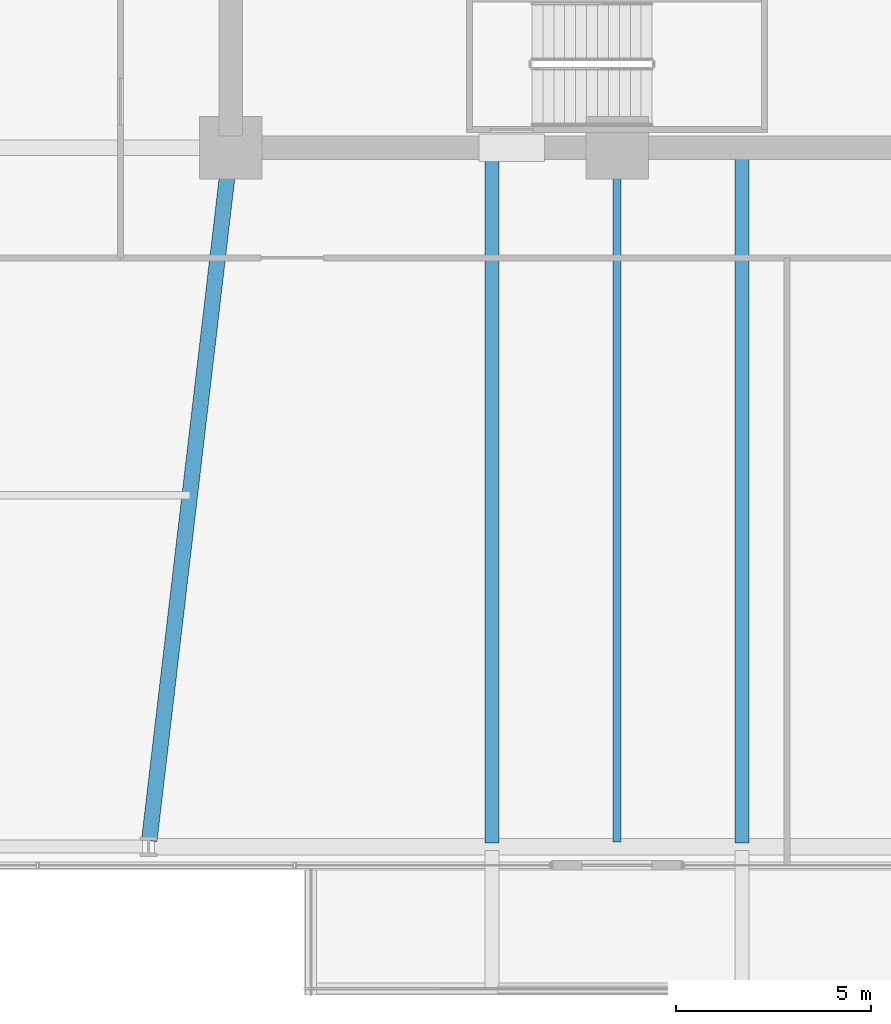
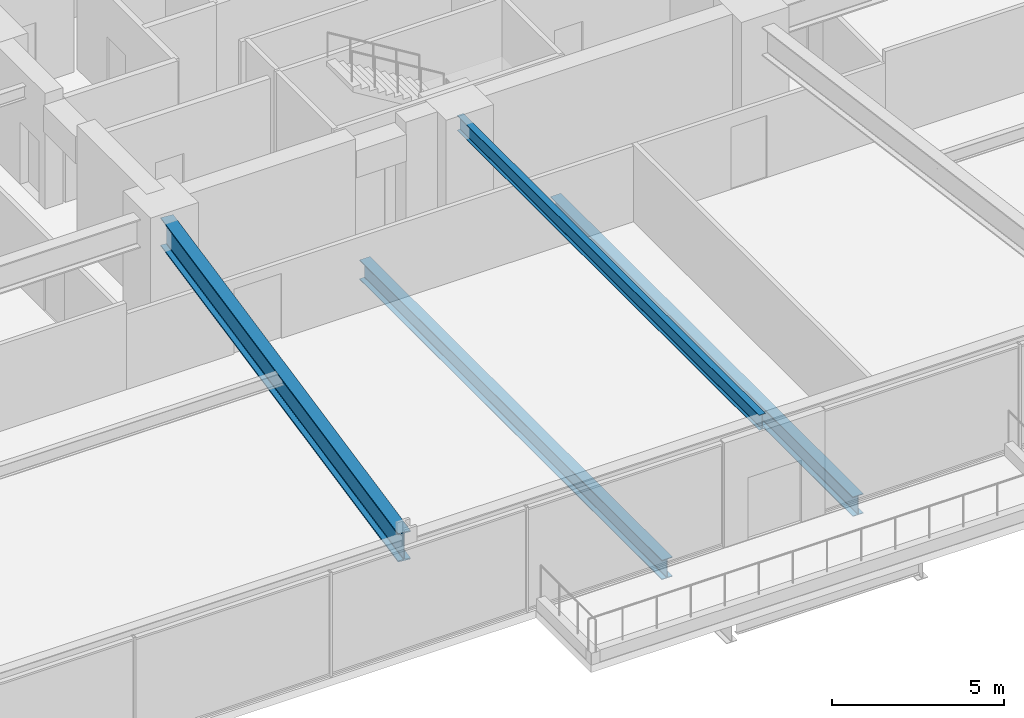
# One storey, part 8 of 39: 4 beams.
"""IFC4 building model written with IfcOpenShell, lengths in metres."""

from ifc_helpers import new_model, si_unit, direction, frame, origin, origin_2d, place, context, subcontext, project, spatial, i_section, extrude, material, material_profile, profile_set, type_object, element, save


model = new_model("IFC4")

# Units and contexts
model_context = context("Model", 3, precision=1e-05, world=origin(), true_north=direction((0.0, 1.0)))
body_context = subcontext(model_context, "Body", "Model", "MODEL_VIEW")
ifc_project = project(units=[si_unit("LENGTHUNIT", "METRE"), si_unit("AREAUNIT", "SQUARE_METRE"), si_unit("VOLUMEUNIT", "CUBIC_METRE"), si_unit("PLANEANGLEUNIT", "RADIAN"), si_unit("MASSUNIT", "GRAM", prefix="KILO")], contexts=[model_context])

# Site, building, storey
site_placement = place(None, origin())
site = spatial("IfcSite", under=ifc_project, at=site_placement, CompositionType="ELEMENT")
building_placement = place(site_placement, origin())
building = spatial("IfcBuilding", under=site, at=building_placement, Name="Kolvaren Belvedere", CompositionType="ELEMENT")
storey_placement = place(building_placement, frame((0.0, 0.0, 15.199951171875)))
storey = spatial("IfcBuildingStorey", under=building, at=storey_placement, Name="L04", CompositionType="ELEMENT", Elevation=15.199951171875)

# Beams
ifc_material_1 = material(Name="Structural steel ASTM A992 Grade 50", Category="steel")
ifc_material_profile_1 = material_profile(ifc_material_1, i_section(OverallWidth=0.40087890625, OverallDepth=1.010986328125, WebThickness=0.023681640625, FlangeThickness=0.0419921875, FilletRadius=0.030029296875, at=origin_2d()), Name="W40X297")
ifc_profile_set_1 = profile_set([ifc_material_profile_1], Name="Structural steel ASTM A992 Grade 50")
beam_type_1 = type_object("IfcBeamType", Name="BM-BALL-W40X297", PredefinedType="BEAM", material=ifc_profile_set_1)
beam_1_placement = place(storey_placement, frame((-9.952392578125, -10.346923828125, 3.194580078125), z_axis=(-0.116516841483, -0.993188716031, 0.0), x_axis=(0.993188716031, -0.116516841483, 0.0)))
element("IfcBeam", 1, at=beam_1_placement, inside=storey, type_object=beam_type_1, Name="L04 South-West Portal Girder", PredefinedType="BEAM", context=body_context, shape_type="SweptSolid", body=[
    extrude(i_section(OverallWidth=0.40087890625, OverallDepth=1.010986328125, WebThickness=0.023681640625, FlangeThickness=0.0419921875, FilletRadius=0.030029296875, at=origin_2d()), origin(), (0.0, 0.0, 1.0), 17.422607421875),
])
ifc_material_2 = material(Name="Structural steel ASTM A992 Grade 50", Category="steel")
ifc_material_profile_2 = material_profile(ifc_material_2, i_section(OverallWidth=0.2099609375, OverallDepth=0.537109375, WebThickness=0.010986328125, FlangeThickness=0.017333984375, FilletRadius=0.01611328125, at=origin_2d()), Name="W21X68")
ifc_profile_set_2 = profile_set([ifc_material_profile_2], Name="Structural steel ASTM A992 Grade 50")
beam_type_2 = type_object("IfcBeamType", Name="BM-FLR-W21X68", PredefinedType="BEAM", material=ifc_profile_set_2)
beam_2_placement = place(storey_placement, frame((0.0, -10.14990234375, 3.431640625), z_axis=(0.0, -1.0, 0.0), x_axis=(1.0, 0.0, 0.0)))
element("IfcBeam", 2, at=beam_2_placement, inside=storey, type_object=beam_type_2, Name="L04 South Centre Beam", PredefinedType="BEAM", context=body_context, shape_type="SweptSolid", body=[
    extrude(i_section(OverallWidth=0.2099609375, OverallDepth=0.537109375, WebThickness=0.010986328125, FlangeThickness=0.017333984375, FilletRadius=0.01611328125, at=origin_2d()), origin(), (0.0, 0.0, 1.0), 17.530029296875),
])
ifc_material_3 = material(Name="Structural steel ASTM A992 Grade 50", Category="steel")
ifc_material_profile_3 = material_profile(ifc_material_3, i_section(OverallWidth=0.35498046875, OverallDepth=0.696044921875, WebThickness=0.015380859375, FlangeThickness=0.02490234375, FilletRadius=0.02197265625, at=origin_2d()), Name="W27X146")
ifc_profile_set_3 = profile_set([ifc_material_profile_3], Name="Structural steel ASTM A992 Grade 50")
beam_type_3 = type_object("IfcBeamType", Name="BM-GIRD-W27X146", PredefinedType="BEAM", material=ifc_profile_set_3)
for number, where, z_axis, x_axis, name in (
    (3, (-3.199951171875, -10.139892578125, -0.6279296875), (0.0, -1.0, 0.0), (1.0, 0.0, 0.0), "L04 Balcony Interior Back-Span Girder POD-TERR-S-1"),
    (4, (3.199951171875, -10.139892578125, -0.6279296875), (0.0, -1.0, 0.0), (1.0, 0.0, 0.0), "L04 Balcony Interior Back-Span Girder POD-TERR-S-2"),
):
    element("IfcBeam", number, at=place(storey_placement, frame(where, z_axis=z_axis, x_axis=x_axis)), inside=storey, type_object=beam_type_3, Name=name, PredefinedType="BEAM", context=body_context, shape_type="SweptSolid", body=[
        extrude(i_section(OverallWidth=0.35498046875, OverallDepth=0.696044921875, WebThickness=0.015380859375, FlangeThickness=0.02490234375, FilletRadius=0.02197265625, at=origin_2d()), origin(), (0.0, 0.0, 1.0), 17.565185546875),
    ])

save(model, "model.ifc")
